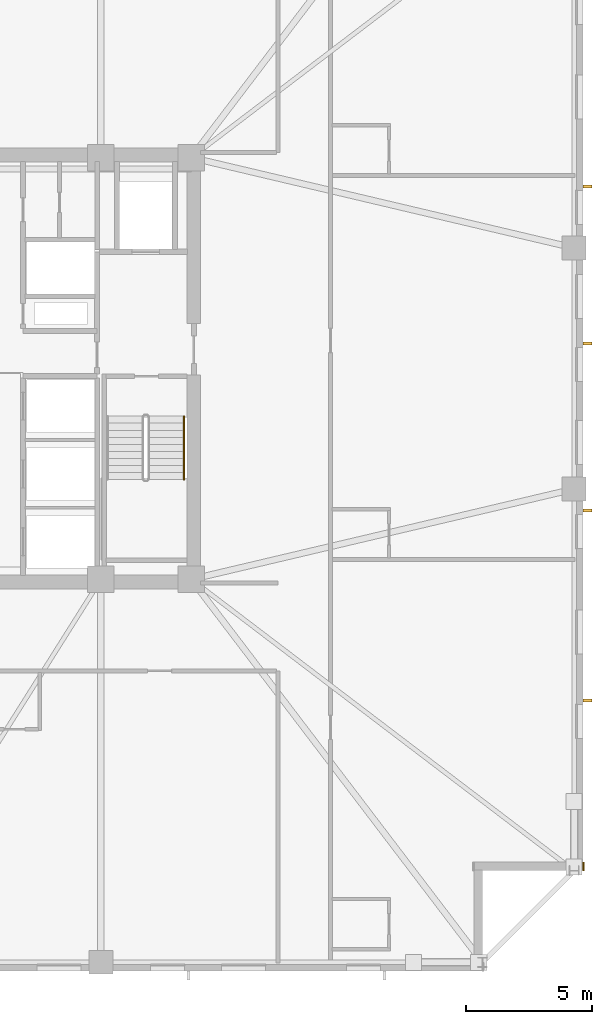
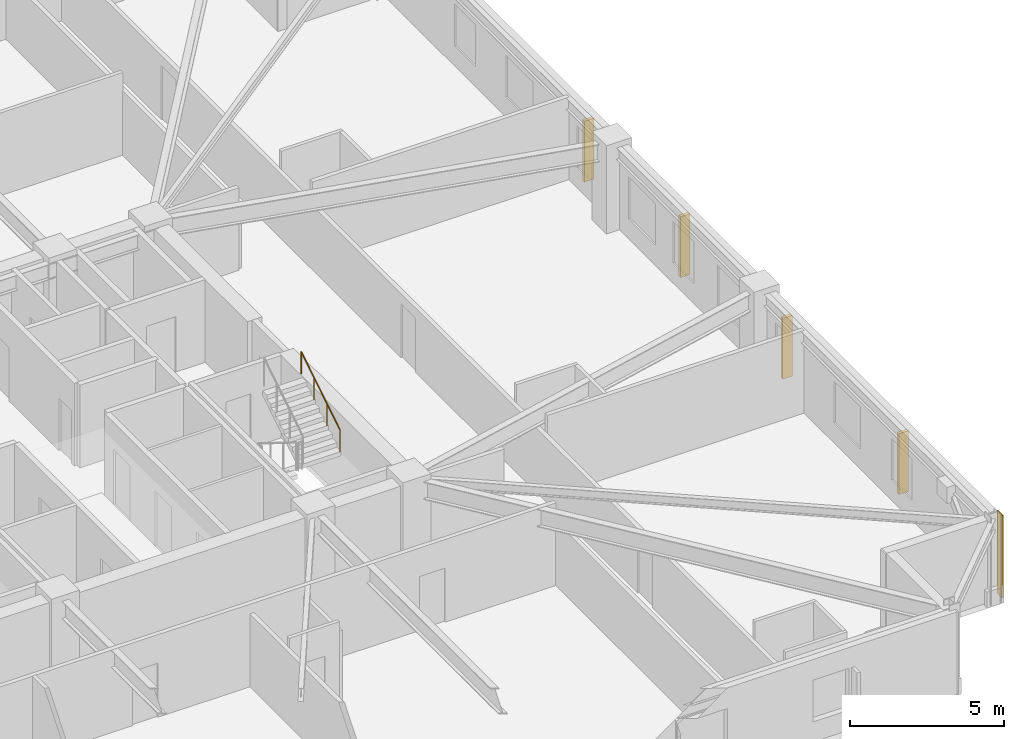
# One storey, part 9 of 11: 4 shading devices, 1 covering, 1 railing.
"""IFC4 building model written with IfcOpenShell, lengths in metres."""

from ifc_helpers import new_model, si_unit, direction, frame, frame_2d, origin, origin_2d, place, context, subcontext, project, spatial, rectangle, circle, extrude, material, layer, layer_set, type_object, element, save


model = new_model("IFC4")

# Units and contexts
model_context = context("Model", 3, precision=1e-05, world=origin(), true_north=direction((0.0, 1.0)))
body_context = subcontext(model_context, "Body", "Model", "MODEL_VIEW")
ifc_project = project(units=[si_unit("LENGTHUNIT", "METRE"), si_unit("AREAUNIT", "SQUARE_METRE"), si_unit("VOLUMEUNIT", "CUBIC_METRE"), si_unit("PLANEANGLEUNIT", "RADIAN"), si_unit("MASSUNIT", "GRAM", prefix="KILO")], contexts=[model_context])

# Site, building, storey
site_placement = place(None, origin())
site = spatial("IfcSite", under=ifc_project, at=site_placement, CompositionType="ELEMENT")
building_placement = place(site_placement, origin())
building = spatial("IfcBuilding", under=site, at=building_placement, Name="Cairnveth Concourse Tower", CompositionType="ELEMENT")
storey_placement = place(building_placement, frame((0.0, 0.0, 148.0)))
storey = spatial("IfcBuildingStorey", under=building, at=storey_placement, Name="L40", CompositionType="ELEMENT", Elevation=148.0)

# Covering
ifc_material_1 = material(Name="Dressed Melbourne Bluestone Cladding", Category="masonry")
ifc_layer = layer(ifc_material_1, 0.050048828125)
ifc_layer_set = layer_set([ifc_layer], Name="Dressed Melbourne Bluestone Cladding")
covering_type = type_object("IfcCoveringType", Name="DRESSED BLUESTONE PLINTH CLADDING 50", PredefinedType="CLADDING", material=ifc_layer_set)
covering_placement = place(storey_placement, frame((76.02001953125, 19.340087890625, 0.0), z_axis=(0.0, 0.0, 1.0), x_axis=(0.0, -1.0, 0.0)))
element("IfcCovering", 1, at=covering_placement, inside=storey, type_object=covering_type, Name="Melbourne Bluestone Corner Quoin L40-589", PredefinedType="CLADDING", context=body_context, shape_type="SweptSolid", body=[
    extrude(rectangle(XDim=0.340087890625, YDim=0.050048828125, at=frame_2d((0.169921875, 0.0))), origin(), (0.0, 0.0, 1.0), 3.280029296875),
])

# Shading devices
ifc_material_2 = material(Name="Architectural Bronze Anodised Aluminium 6063-T6", Category="aluminium")
shading_device_type = type_object("IfcShadingDeviceType", Name="GOTHIC BRONZE VERTICAL LANCET FIN", PredefinedType="USERDEFINED", material=ifc_material_2)
for number, where, z_axis, x_axis, name in (
    (2, (76.175048828125, 46.251220703125, 0.030029296875), (0.0, 0.0, 1.0), (0.0, 1.0, 0.0), "Gothic Bronze Vertical Fin L40-9-3"),
    (3, (76.175048828125, 39.993896484375, 0.030029296875), (0.0, 0.0, 1.0), (0.0, 1.0, 0.0), "Gothic Bronze Vertical Fin L40-9-5"),
    (4, (76.175048828125, 33.3369140625, 0.030029296875), (0.0, 0.0, 1.0), (0.0, 1.0, 0.0), "Gothic Bronze Vertical Fin L40-9-7"),
    (5, (76.175048828125, 25.77978515625, 0.030029296875), (0.0, 0.0, 1.0), (0.0, 1.0, 0.0), "Gothic Bronze Vertical Fin L40-9-9"),
):
    element("IfcShadingDevice", number, at=place(storey_placement, frame(where, z_axis=z_axis, x_axis=x_axis)), inside=storey, type_object=shading_device_type, Name=name, ObjectType="VERTICAL FIN", PredefinedType="USERDEFINED", context=body_context, shape_type="SweptSolid", body=[
        extrude(rectangle(XDim=0.1201171875, YDim=0.360107421875, at=origin_2d()), origin(), (0.0, 0.0, 1.0), 2.419921875),
    ])

# Railing
ifc_material_3 = material(Name="Steel Grade 350", Category="steel")
railing_type = type_object("IfcRailingType", Name="STAIR WALL HANDRAIL 900", PredefinedType="HANDRAIL", material=ifc_material_3)
railing_placement = place(storey_placement, frame((60.110107421875, 34.580078125, 1.925048828125)))
element("IfcRailing", 6, at=railing_placement, inside=storey, type_object=railing_type, Name="L40 ST-2 stair handrail 2", PredefinedType="HANDRAIL", context=body_context, shape_type="SweptSolid", body=[
    extrude(circle(Radius=0.02392578125, at=origin_2d()), frame((0.0, 0.0, 0.8759765625), z_axis=(0.0, 0.848007534815, 0.529984170421), x_axis=(-1.0, 0.0, 0.0)), (0.0, 0.0, 1.0), 2.9716796875),
    extrude(circle(Radius=0.02099609375, at=origin_2d()), origin(), (0.0, 0.0, 1.0), 0.851806640625),
    extrude(circle(Radius=0.02099609375, at=origin_2d()), frame((0.0, 0.840087890625, 0.52490234375)), (0.0, 0.0, 1.0), 0.851806640625),
    extrude(circle(Radius=0.02099609375, at=origin_2d()), frame((0.0, 1.679931640625, 1.050048828125)), (0.0, 0.0, 1.0), 0.851806640625),
    extrude(circle(Radius=0.02099609375, at=origin_2d()), frame((0.0, 2.52001953125, 1.574951171875)), (0.0, 0.0, 1.0), 0.851806640625),
])

save(model, "model.ifc")
